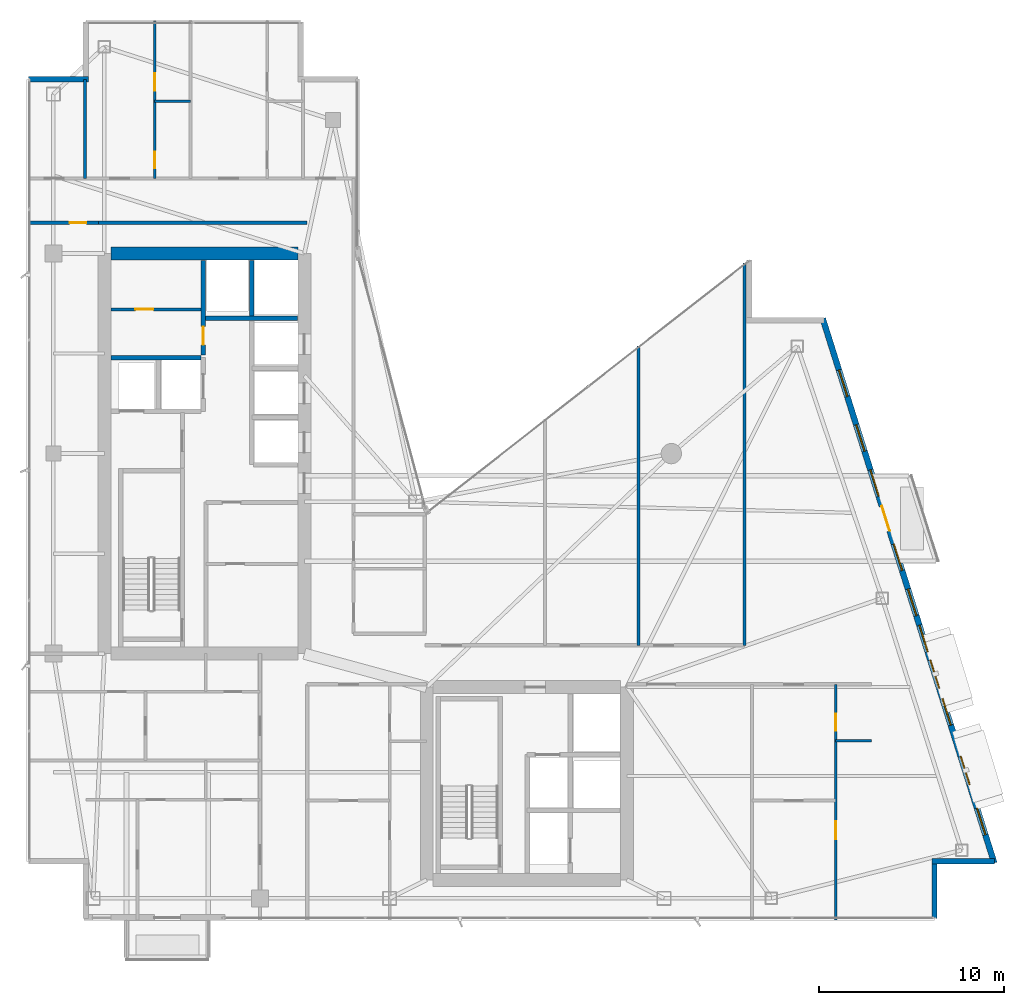
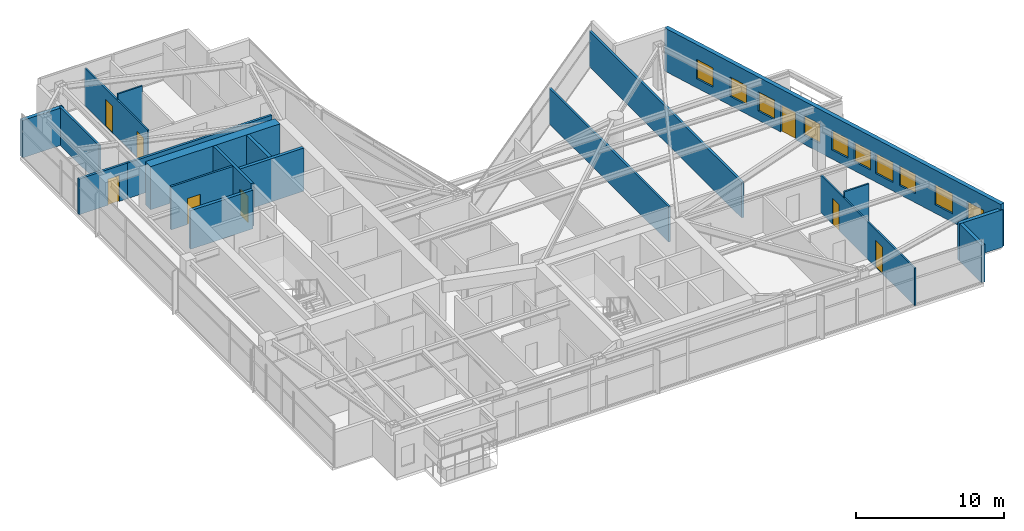
# One storey, part 26 of 30: 19 walls, 10 windows, 8 doors, 18 openings.
"""IFC4 building model written with IfcOpenShell, lengths in metres."""

from ifc_helpers import new_model, si_unit, direction, frame, frame_2d, origin, place, context, subcontext, project, spatial, rectangle, extrude, material, layer, layer_set, type_object, element, fill, save


model = new_model("IFC4")

# Units and contexts
model_context = context("Model", 3, precision=1e-05, world=origin(), true_north=direction((0.0, 1.0)))
body_context = subcontext(model_context, "Body", "Model", "MODEL_VIEW")
ifc_project = project(units=[si_unit("LENGTHUNIT", "METRE"), si_unit("AREAUNIT", "SQUARE_METRE"), si_unit("VOLUMEUNIT", "CUBIC_METRE"), si_unit("PLANEANGLEUNIT", "RADIAN"), si_unit("MASSUNIT", "GRAM", prefix="KILO")], contexts=[model_context])

# Site, building, storey
site_placement = place(None, origin())
site = spatial("IfcSite", under=ifc_project, at=site_placement, CompositionType="ELEMENT")
building_placement = place(site_placement, origin())
building = spatial("IfcBuilding", under=site, at=building_placement, Name="Calvorn Quay Hotel", CompositionType="ELEMENT")
storey_placement = place(building_placement, frame((0.0, 0.0, 207.199951171875)))
storey = spatial("IfcBuildingStorey", under=building, at=storey_placement, Name="L51", CompositionType="ELEMENT", Elevation=207.199951171875)

# Wall
ifc_material_1 = material(Name="Concrete C45", Category="concrete")
ifc_layer_1 = layer(ifc_material_1, 0.699951171875)
ifc_layer_set_1 = layer_set([ifc_layer_1], Name="WL-CORE-700")
wall_type_1 = type_object("IfcWallType", Name="WL-CORE-700", PredefinedType="SHEAR", material=ifc_layer_set_1)
wall_1_placement = place(storey_placement, frame((4.550048828125, 38.39990234375, 0.0), z_axis=(0.0, 0.0, 1.0), x_axis=(1.0, 0.0, 0.0)))
element("IfcWall", 1, at=wall_1_placement, inside=storey, type_object=wall_type_1, Name="West Core Shear Wall N (L51)", PredefinedType="SHEAR", context=body_context, shape_type="SweptSolid", body=[
    extrude(rectangle(XDim=10.099853515625, YDim=0.699951171875, at=frame_2d((5.0498046875, 0.0))), origin(), (0.0, 0.0, 1.0), 3.56005859375),
])

# Wall, opening, door
ifc_material_2 = material(Name="Acoustic Fireboard Steel-Stud Partition", Category="steel")
ifc_layer_2 = layer(ifc_material_2, 0.179931640625)
ifc_layer_set_2 = layer_set([ifc_layer_2], Name="WL-CORR-FIRE-180")
wall_type_2 = type_object("IfcWallType", Name="WL-CORR-FIRE-180", PredefinedType="PARTITIONING", material=ifc_layer_set_2)
wall_2_placement = place(storey_placement, frame((0.080078125, 40.050048828125, 0.0), z_axis=(0.0, 0.0, 1.0), x_axis=(1.0, 0.0, 0.0)))
wall_2 = element("IfcWall", 2, at=wall_2_placement, inside=storey, type_object=wall_type_2, Name="Partition Wall L51-WL-WBAY-N-DOOR", PredefinedType="PARTITIONING", context=body_context, shape_type="SweptSolid", body=[
    extrude(rectangle(XDim=3.7998046875, YDim=0.179931640625, at=frame_2d((1.89990234375, 0.0))), origin(), (0.0, 0.0, 1.0), 2.93994140625),
])
opening_1_placement = place(wall_2_placement, frame((2.25, 0.0, 0.0)))
opening_1 = element("IfcOpeningElement", 3, at=opening_1_placement, cuts=wall_2, Name="Opening D-L51-WBN", PredefinedType="OPENING", context=body_context, shape_type="SweptSolid", body=[
    extrude(rectangle(XDim=0.89990234375, YDim=2.14990234375, at=frame_2d((0.449951171875, 1.074951171875))), frame((0.0, 0.099853515625, 0.0), z_axis=(0.0, -1.0, 0.0), x_axis=(1.0, 0.0, 0.0)), (0.0, 0.0, 1.0), 0.199951171875),
])
ifc_material_3 = material(Name="Moisture-Sealed Timber En-Suite Door", Category="wood")
door_type_1 = type_object("IfcDoorType", Name="DR-ENSUITE-900", OperationType="NOTDEFINED", PredefinedType="DOOR", material=ifc_material_3)
door_1_placement = place(opening_1_placement, origin())
door_1 = element("IfcDoor", 4, at=door_1_placement, inside=storey, type_object=door_type_1, Name="West North Bay Door (L51)", OperationType="SINGLE_SWING_LEFT", OverallHeight=2.14990234375, OverallWidth=0.89990234375, PredefinedType="DOOR", context=body_context, shape_type="SweptSolid", body=[
    extrude(rectangle(XDim=0.89990234375, YDim=2.14990234375, at=frame_2d((0.449951171875, 1.074951171875))), frame((0.0, 0.02490234375, 0.0), z_axis=(0.0, -1.0, 0.0), x_axis=(1.0, 0.0, 0.0)), (0.0, 0.0, 1.0), 0.050048828125),
])
fill(opening_1, door_1)

# Walls
wall_3_placement = place(storey_placement, frame((3.830078125, 40.050048828125, 0.0), z_axis=(0.0, 0.0, 1.0), x_axis=(1.0, 0.0, 0.0)))
element("IfcWall", 5, at=wall_3_placement, inside=storey, type_object=wall_type_2, Name="Partition Wall L51-WL-W-SPUR-S", PredefinedType="PARTITIONING", context=body_context, shape_type="SweptSolid", body=[
    extrude(rectangle(XDim=11.31982421875, YDim=0.179931640625, at=frame_2d((5.659912109375, 0.0))), origin(), (0.0, 0.0, 1.0), 2.93994140625),
])
wall_4_placement = place(storey_placement, frame((38.75, 17.25, 0.0), z_axis=(0.0, 0.0, 1.0), x_axis=(0.0, 1.0, 0.0)))
element("IfcWall", 6, at=wall_4_placement, inside=storey, type_object=wall_type_2, Name="Partition Wall L51-WL-NE-END-E", PredefinedType="PARTITIONING", context=body_context, shape_type="SweptSolid", body=[
    extrude(rectangle(XDim=20.6298828125, YDim=0.179931640625, at=frame_2d((10.31494140625, 0.0))), origin(), (0.0, 0.0, 1.0), 2.93994140625),
])
ifc_material_4 = material(Name="Moisture-Resistant Tile-Backed Partition")
ifc_layer_3 = layer(ifc_material_4, 0.125)
ifc_layer_set_3 = layer_set([ifc_layer_3], Name="WL-ENSUITE-125")
wall_type_3 = type_object("IfcWallType", Name="WL-ENSUITE-125", PredefinedType="PARTITIONING", material=ifc_layer_set_3)
wall_5_placement = place(storey_placement, frame((6.919921875, 46.6201171875, 0.0), z_axis=(0.0, 0.0, 1.0), x_axis=(1.0, 0.0, 0.0)))
element("IfcWall", 7, at=wall_5_placement, inside=storey, type_object=wall_type_3, Name="Partition Wall L51-WL-U04-BDV", PredefinedType="PARTITIONING", context=body_context, shape_type="SweptSolid", body=[
    extrude(rectangle(XDim=1.93017578125, YDim=0.125, at=frame_2d((0.965087890625, 0.0))), origin(), (0.0, 0.0, 1.0), 3.56005859375),
])

# Wall, openings, doors
wall_6_placement = place(storey_placement, frame((6.919921875, 42.449951171875, 0.0), z_axis=(0.0, 0.0, 1.0), x_axis=(0.0, 1.0, 0.0)))
wall_6 = element("IfcWall", 8, at=wall_6_placement, inside=storey, type_object=wall_type_3, Name="Partition Wall L51-WL-U04-BV", PredefinedType="PARTITIONING", context=body_context, shape_type="SweptSolid", body=[
    extrude(rectangle(XDim=8.489990234375, YDim=0.125, at=frame_2d((4.2451171875, 0.0))), origin(), (0.0, 0.0, 1.0), 3.090087890625),
])
opening_2_placement = place(wall_6_placement, frame((0.550048828125, 0.0, 0.0)))
opening_2 = element("IfcOpeningElement", 9, at=opening_2_placement, cuts=wall_6, Name="Opening D-L51-E04", PredefinedType="OPENING", context=body_context, shape_type="SweptSolid", body=[
    extrude(rectangle(XDim=0.89990234375, YDim=2.14990234375, at=frame_2d((0.449951171875, 1.074951171875))), frame((0.0, 0.072509765625, 0.0), z_axis=(0.0, -1.0, 0.0), x_axis=(1.0, 0.0, 0.0)), (0.0, 0.0, 1.0), 0.14501953125),
])
opening_3_placement = place(wall_6_placement, frame((4.719970703125, 0.0, 0.0)))
opening_3 = element("IfcOpeningElement", 10, at=opening_3_placement, cuts=wall_6, Name="Opening D-L51-S04", PredefinedType="OPENING", context=body_context, shape_type="SweptSolid", body=[
    extrude(rectangle(XDim=0.9599609375, YDim=2.199951171875, at=frame_2d((0.47998046875, 1.10009765625))), frame((0.0, 0.072509765625, 0.0), z_axis=(0.0, -1.0, 0.0), x_axis=(1.0, 0.0, 0.0)), (0.0, 0.0, 1.0), 0.14501953125),
])
door_2_placement = place(opening_2_placement, origin())
door_2 = element("IfcDoor", 11, at=door_2_placement, inside=storey, type_object=door_type_1, Name="En-Suite Door 04", OperationType="SINGLE_SWING_LEFT", OverallHeight=2.14990234375, OverallWidth=0.89990234375, PredefinedType="DOOR", context=body_context, shape_type="SweptSolid", body=[
    extrude(rectangle(XDim=0.89990234375, YDim=2.14990234375, at=frame_2d((0.449951171875, 1.074951171875))), frame((0.0, 0.02490234375, 0.0), z_axis=(0.0, -1.0, 0.0), x_axis=(1.0, 0.0, 0.0)), (0.0, 0.0, 1.0), 0.050048828125),
])
fill(opening_2, door_2)
ifc_material_5 = material(Name="Solid Timber Internal Suite Door", Category="wood")
door_type_2 = type_object("IfcDoorType", Name="DR-SUITE-INT-960", OperationType="NOTDEFINED", PredefinedType="DOOR", material=ifc_material_5)
door_3_placement = place(opening_3_placement, origin())
door_3 = element("IfcDoor", 12, at=door_3_placement, inside=storey, type_object=door_type_2, Name="Harbour Tea Room Door 04", OperationType="SINGLE_SWING_RIGHT", OverallHeight=2.199951171875, OverallWidth=0.9599609375, PredefinedType="DOOR", context=body_context, shape_type="SweptSolid", body=[
    extrude(rectangle(XDim=0.9599609375, YDim=2.199951171875, at=frame_2d((0.47998046875, 1.10009765625))), frame((0.0, 0.02490234375, 0.0), z_axis=(0.0, -1.0, 0.0), x_axis=(1.0, 0.0, 0.0)), (0.0, 0.0, 1.0), 0.050048828125),
])
fill(opening_3, door_3)

# Wall
wall_7_placement = place(storey_placement, frame((43.669921875, 12.10009765625, 0.0), z_axis=(0.0, 0.0, 1.0), x_axis=(1.0, 0.0, 0.0)))
element("IfcWall", 13, at=wall_7_placement, inside=storey, type_object=wall_type_3, Name="Partition Wall L51-WL-U06-BDV", PredefinedType="PARTITIONING", context=body_context, shape_type="SweptSolid", body=[
    extrude(rectangle(XDim=1.93017578125, YDim=0.125, at=frame_2d((0.965087890625, 0.0))), origin(), (0.0, 0.0, 1.0), 3.56005859375),
])

# Wall, openings, doors
wall_8_placement = place(storey_placement, frame((43.669921875, 2.43994140625, 0.0), z_axis=(0.0, 0.0, 1.0), x_axis=(0.0, 1.0, 0.0)))
wall_8 = element("IfcWall", 14, at=wall_8_placement, inside=storey, type_object=wall_type_3, Name="Partition Wall L51-WL-U06-BV", PredefinedType="PARTITIONING", context=body_context, shape_type="SweptSolid", body=[
    extrude(rectangle(XDim=12.7099609375, YDim=0.125, at=frame_2d((6.35498046875, 0.0))), origin(), (0.0, 0.0, 1.0), 3.090087890625),
])
opening_4_placement = place(wall_8_placement, frame((4.35009765625, 0.0, 0.0)))
opening_4 = element("IfcOpeningElement", 15, at=opening_4_placement, cuts=wall_8, Name="Opening D-L51-S06", PredefinedType="OPENING", context=body_context, shape_type="SweptSolid", body=[
    extrude(rectangle(XDim=0.9599609375, YDim=2.199951171875, at=frame_2d((0.47998046875, 1.10009765625))), frame((0.0, 0.072509765625, 0.0), z_axis=(0.0, -1.0, 0.0), x_axis=(1.0, 0.0, 0.0)), (0.0, 0.0, 1.0), 0.14501953125),
])
opening_5_placement = place(wall_8_placement, frame((10.2099609375, 0.0, 0.0)))
opening_5 = element("IfcOpeningElement", 16, at=opening_5_placement, cuts=wall_8, Name="Opening D-L51-E06", PredefinedType="OPENING", context=body_context, shape_type="SweptSolid", body=[
    extrude(rectangle(XDim=0.89990234375, YDim=2.14990234375, at=frame_2d((0.449951171875, 1.074951171875))), frame((0.0, 0.072509765625, 0.0), z_axis=(0.0, -1.0, 0.0), x_axis=(1.0, 0.0, 0.0)), (0.0, 0.0, 1.0), 0.14501953125),
])
door_4_placement = place(opening_5_placement, origin())
door_4 = element("IfcDoor", 17, at=door_4_placement, inside=storey, type_object=door_type_1, Name="En-Suite Door 06", OperationType="SINGLE_SWING_RIGHT", OverallHeight=2.14990234375, OverallWidth=0.89990234375, PredefinedType="DOOR", context=body_context, shape_type="SweptSolid", body=[
    extrude(rectangle(XDim=0.89990234375, YDim=2.14990234375, at=frame_2d((0.449951171875, 1.074951171875))), frame((0.0, 0.02490234375, 0.0), z_axis=(0.0, -1.0, 0.0), x_axis=(1.0, 0.0, 0.0)), (0.0, 0.0, 1.0), 0.050048828125),
])
fill(opening_5, door_4)
door_5_placement = place(opening_4_placement, origin())
door_5 = element("IfcDoor", 18, at=door_5_placement, inside=storey, type_object=door_type_2, Name="Harbour Tea Room Door 06", OperationType="SINGLE_SWING_LEFT", OverallHeight=2.199951171875, OverallWidth=0.9599609375, PredefinedType="DOOR", context=body_context, shape_type="SweptSolid", body=[
    extrude(rectangle(XDim=0.9599609375, YDim=2.199951171875, at=frame_2d((0.47998046875, 1.10009765625))), frame((0.0, 0.02490234375, 0.0), z_axis=(0.0, -1.0, 0.0), x_axis=(1.0, 0.0, 0.0)), (0.0, 0.0, 1.0), 0.050048828125),
])
fill(opening_4, door_5)

# Walls
ifc_material_6 = material(Name="Concrete C40", Category="concrete")
ifc_layer_4 = layer(ifc_material_6, 0.320068359375)
ifc_layer_set_4 = layer_set([ifc_layer_4], Name="WL-EXT-SPANDREL-320")
wall_type_4 = type_object("IfcWallType", Name="WL-EXT-SPANDREL-320", PredefinedType="SOLIDWALL", material=ifc_layer_set_4)
wall_9_placement = place(storey_placement, frame((49.0, 2.52001953125, 0.0), z_axis=(0.0, 0.0, 1.0), x_axis=(0.0, 1.0, 0.0)))
element("IfcWall", 19, at=wall_9_placement, inside=storey, type_object=wall_type_4, Name="Notched Corner Spandrel L51-SE1", PredefinedType="SOLIDWALL", context=body_context, shape_type="SweptSolid", body=[
    extrude(rectangle(XDim=2.93994140625, YDim=0.280029296875, at=frame_2d((1.469970703125, 0.0))), origin(), (0.0, 0.0, 1.0), 3.090087890625),
])
wall_10_placement = place(storey_placement, frame((48.860107421875, 5.60009765625, 0.0), z_axis=(0.0, 0.0, 1.0), x_axis=(1.0, 0.0, 0.0)))
element("IfcWall", 20, at=wall_10_placement, inside=storey, type_object=wall_type_4, Name="Notched Corner Spandrel L51-SE2", PredefinedType="SOLIDWALL", context=body_context, shape_type="SweptSolid", body=[
    extrude(rectangle(XDim=3.3798828125, YDim=0.280029296875, at=frame_2d((1.68994140625, 0.0))), origin(), (0.0, 0.0, 1.0), 3.090087890625),
])
wall_11_placement = place(storey_placement, frame((3.340087890625, 47.800048828125, 0.0), z_axis=(0.0, 0.0, 1.0), x_axis=(-1.0, 0.0, 0.0)))
element("IfcWall", 21, at=wall_11_placement, inside=storey, type_object=wall_type_4, Name="Notched Corner Spandrel L51-NW2", PredefinedType="SOLIDWALL", context=body_context, shape_type="SweptSolid", body=[
    extrude(rectangle(XDim=3.219970703125, YDim=0.280029296875, at=frame_2d((1.60986328125, 0.0))), origin(), (0.0, 0.0, 1.0), 3.090087890625),
])

# Wall, openings, door, windows
wall_12_placement = place(storey_placement, frame((52.22998046875, 5.5048828125, 0.0), z_axis=(0.0, 0.0, 1.0), x_axis=(-0.300509063924, 0.953778958931, 0.0)))
wall_12 = element("IfcWall", 22, at=wall_12_placement, inside=storey, type_object=wall_type_4, Name="East Stepped Waterfront Exterior Wall (L51)", PredefinedType="SOLIDWALL", context=body_context, shape_type="SweptSolid", body=[
    extrude(rectangle(XDim=30.814453125, YDim=0.320068359375, at=frame_2d((15.4072265625, 0.0))), origin(), (0.0, 0.0, 1.0), 3.56005859375),
])
opening_6_placement = place(wall_12_placement, frame((18.7958984375, 0.0, 0.0)))
opening_6 = element("IfcOpeningElement", 23, at=opening_6_placement, cuts=wall_12, Name="Opening DB-L51-1", PredefinedType="OPENING", context=body_context, shape_type="SweptSolid", body=[
    extrude(rectangle(XDim=1.39990234375, YDim=2.25, at=frame_2d((0.699951171875, 1.125))), frame((0.0, 0.169921875, 0.0), z_axis=(0.0, -1.0, 0.0), x_axis=(1.0, 0.0, 0.0)), (0.0, 0.0, 1.0), 0.340087890625),
])
opening_7_placement = place(wall_12_placement, frame((4.43701171875, 0.0, 0.699951171875)))
opening_7 = element("IfcOpeningElement", 24, at=opening_7_placement, cuts=wall_12, Name="Opening WHD-L51-1", PredefinedType="OPENING", context=body_context, shape_type="SweptSolid", body=[
    extrude(rectangle(XDim=1.60009765625, YDim=1.64990234375, at=frame_2d((0.800048828125, 0.824951171875))), frame((0.0, 0.169921875, 0.0), z_axis=(0.0, -1.0, 0.0), x_axis=(1.0, 0.0, 0.0)), (0.0, 0.0, 1.0), 0.340087890625),
])
opening_8_placement = place(wall_12_placement, frame((9.888916015625, 0.0, 0.699951171875)))
opening_8 = element("IfcOpeningElement", 25, at=opening_8_placement, cuts=wall_12, Name="Opening WHD-L51-2", PredefinedType="OPENING", context=body_context, shape_type="SweptSolid", body=[
    extrude(rectangle(XDim=1.60009765625, YDim=1.64990234375, at=frame_2d((0.800048828125, 0.824951171875))), frame((0.0, 0.169921875, 0.0), z_axis=(0.0, -1.0, 0.0), x_axis=(1.0, 0.0, 0.0)), (0.0, 0.0, 1.0), 0.340087890625),
])
opening_9_placement = place(wall_12_placement, frame((1.60009765625, 0.0, 0.75)))
opening_9 = element("IfcOpeningElement", 26, at=opening_9_placement, cuts=wall_12, Name="Opening WG-L51-E1", PredefinedType="OPENING", context=body_context, shape_type="SweptSolid", body=[
    extrude(rectangle(XDim=1.5, YDim=1.60009765625, at=frame_2d((0.75, 0.800048828125))), frame((0.0, 0.169921875, 0.0), z_axis=(0.0, -1.0, 0.0), x_axis=(1.0, 0.0, 0.0)), (0.0, 0.0, 1.0), 0.340087890625),
])
opening_10_placement = place(wall_12_placement, frame((7.800048828125, 0.0, 0.75)))
opening_10 = element("IfcOpeningElement", 27, at=opening_10_placement, cuts=wall_12, Name="Opening WG-L51-E2", PredefinedType="OPENING", context=body_context, shape_type="SweptSolid", body=[
    extrude(rectangle(XDim=1.5, YDim=1.60009765625, at=frame_2d((0.75, 0.800048828125))), frame((0.0, 0.169921875, 0.0), z_axis=(0.0, -1.0, 0.0), x_axis=(1.0, 0.0, 0.0)), (0.0, 0.0, 1.0), 0.340087890625),
])
opening_11_placement = place(wall_12_placement, frame((11.949951171875, 0.0, 0.75)))
opening_11 = element("IfcOpeningElement", 28, at=opening_11_placement, cuts=wall_12, Name="Opening WG-L51-E3", PredefinedType="OPENING", context=body_context, shape_type="SweptSolid", body=[
    extrude(rectangle(XDim=1.5, YDim=1.60009765625, at=frame_2d((0.75, 0.800048828125))), frame((0.0, 0.169921875, 0.0), z_axis=(0.0, -1.0, 0.0), x_axis=(1.0, 0.0, 0.0)), (0.0, 0.0, 1.0), 0.340087890625),
])
opening_12_placement = place(wall_12_placement, frame((14.0, 0.0, 0.75)))
opening_12 = element("IfcOpeningElement", 29, at=opening_12_placement, cuts=wall_12, Name="Opening WG-L51-E4", PredefinedType="OPENING", context=body_context, shape_type="SweptSolid", body=[
    extrude(rectangle(XDim=1.5, YDim=1.60009765625, at=frame_2d((0.75, 0.800048828125))), frame((0.0, 0.169921875, 0.0), z_axis=(0.0, -1.0, 0.0), x_axis=(1.0, 0.0, 0.0)), (0.0, 0.0, 1.0), 0.340087890625),
])
opening_13_placement = place(wall_12_placement, frame((16.550048828125, 0.0, 0.75)))
opening_13 = element("IfcOpeningElement", 30, at=opening_13_placement, cuts=wall_12, Name="Opening WG-L51-E5", PredefinedType="OPENING", context=body_context, shape_type="SweptSolid", body=[
    extrude(rectangle(XDim=1.5, YDim=1.60009765625, at=frame_2d((0.75, 0.800048828125))), frame((0.0, 0.169921875, 0.0), z_axis=(0.0, -1.0, 0.0), x_axis=(1.0, 0.0, 0.0)), (0.0, 0.0, 1.0), 0.340087890625),
])
opening_14_placement = place(wall_12_placement, frame((20.75, 0.0, 0.75)))
opening_14 = element("IfcOpeningElement", 31, at=opening_14_placement, cuts=wall_12, Name="Opening WG-L51-E6", PredefinedType="OPENING", context=body_context, shape_type="SweptSolid", body=[
    extrude(rectangle(XDim=1.5, YDim=1.60009765625, at=frame_2d((0.75, 0.800048828125))), frame((0.0, 0.169921875, 0.0), z_axis=(0.0, -1.0, 0.0), x_axis=(1.0, 0.0, 0.0)), (0.0, 0.0, 1.0), 0.340087890625),
])
opening_15_placement = place(wall_12_placement, frame((23.300048828125, 0.0, 0.75)))
opening_15 = element("IfcOpeningElement", 32, at=opening_15_placement, cuts=wall_12, Name="Opening WG-L51-E7", PredefinedType="OPENING", context=body_context, shape_type="SweptSolid", body=[
    extrude(rectangle(XDim=1.5, YDim=1.60009765625, at=frame_2d((0.75, 0.800048828125))), frame((0.0, 0.169921875, 0.0), z_axis=(0.0, -1.0, 0.0), x_axis=(1.0, 0.0, 0.0)), (0.0, 0.0, 1.0), 0.340087890625),
])
opening_16_placement = place(wall_12_placement, frame((26.39990234375, 0.0, 0.75)))
opening_16 = element("IfcOpeningElement", 33, at=opening_16_placement, cuts=wall_12, Name="Opening WG-L51-E8", PredefinedType="OPENING", context=body_context, shape_type="SweptSolid", body=[
    extrude(rectangle(XDim=1.5, YDim=1.60009765625, at=frame_2d((0.75, 0.800048828125))), frame((0.0, 0.169921875, 0.0), z_axis=(0.0, -1.0, 0.0), x_axis=(1.0, 0.0, 0.0)), (0.0, 0.0, 1.0), 0.340087890625),
])
ifc_material_7 = material(Name="Typhoon-Rated Low-E Aluminium Terrace Door", Category="aluminium")
door_type_3 = type_object("IfcDoorType", Name="DR-BALCONY-GLZ-1400", OperationType="NOTDEFINED", PredefinedType="DOOR", material=ifc_material_7)
door_6_placement = place(opening_6_placement, origin())
door_6 = element("IfcDoor", 34, at=door_6_placement, inside=storey, type_object=door_type_3, Name="Tree Balcony Terrace Door L51-BALC-E", OperationType="SINGLE_SWING_LEFT", OverallHeight=2.25, OverallWidth=1.39990234375, PredefinedType="DOOR", context=body_context, shape_type="SweptSolid", body=[
    extrude(rectangle(XDim=1.39990234375, YDim=2.25, at=frame_2d((0.699951171875, 1.125))), frame((0.0, 0.02490234375, 0.0), z_axis=(0.0, -1.0, 0.0), x_axis=(1.0, 0.0, 0.0)), (0.0, 0.0, 1.0), 0.050048828125),
])
fill(opening_6, door_6)
ifc_material_8 = material(Name="Champagne-Bronze Aluminium Low-E Window", Category="aluminium")
window_type_1 = type_object("IfcWindowType", Name="WIN-GUEST-SIDE-1600x2100", PartitioningType="SINGLE_PANEL", PredefinedType="WINDOW", material=ifc_material_8)
window_1_placement = place(opening_7_placement, origin())
window_1 = element("IfcWindow", 35, at=window_1_placement, inside=storey, type_object=window_type_1, Name="Bay Hood Window L51-HOOD-1", OverallHeight=1.64990234375, OverallWidth=1.60009765625, PartitioningType="SINGLE_PANEL", PredefinedType="WINDOW", context=body_context, shape_type="SweptSolid", body=[
    extrude(rectangle(XDim=1.60009765625, YDim=1.64990234375, at=frame_2d((0.800048828125, 0.824951171875))), frame((0.0, 0.030029296875, 0.0), z_axis=(0.0, -1.0, 0.0), x_axis=(1.0, 0.0, 0.0)), (0.0, 0.0, 1.0), 0.06005859375),
])
fill(opening_7, window_1)
window_2_placement = place(opening_8_placement, origin())
window_2 = element("IfcWindow", 36, at=window_2_placement, inside=storey, type_object=window_type_1, Name="Bay Hood Window L51-HOOD-2", OverallHeight=1.64990234375, OverallWidth=1.60009765625, PartitioningType="SINGLE_PANEL", PredefinedType="WINDOW", context=body_context, shape_type="SweptSolid", body=[
    extrude(rectangle(XDim=1.60009765625, YDim=1.64990234375, at=frame_2d((0.800048828125, 0.824951171875))), frame((0.0, 0.030029296875, 0.0), z_axis=(0.0, -1.0, 0.0), x_axis=(1.0, 0.0, 0.0)), (0.0, 0.0, 1.0), 0.06005859375),
])
fill(opening_8, window_2)
ifc_material_9 = material(Name="Self-Closing Class B Fire Window")
window_type_2 = type_object("IfcWindowType", Name="WIN-REFUGE-1500x1600", PartitioningType="SINGLE_PANEL", PredefinedType="WINDOW", material=ifc_material_9)
window_3_placement = place(opening_9_placement, origin())
window_3 = element("IfcWindow", 37, at=window_3_placement, inside=storey, type_object=window_type_2, Name="East Facade Window L51-E1", OverallHeight=1.60009765625, OverallWidth=1.5, PartitioningType="SINGLE_PANEL", PredefinedType="WINDOW", context=body_context, shape_type="SweptSolid", body=[
    extrude(rectangle(XDim=1.5, YDim=1.60009765625, at=frame_2d((0.75, 0.800048828125))), frame((0.0, 0.030029296875, 0.0), z_axis=(0.0, -1.0, 0.0), x_axis=(1.0, 0.0, 0.0)), (0.0, 0.0, 1.0), 0.06005859375),
])
fill(opening_9, window_3)
window_4_placement = place(opening_10_placement, origin())
window_4 = element("IfcWindow", 38, at=window_4_placement, inside=storey, type_object=window_type_2, Name="East Facade Window L51-E2", OverallHeight=1.60009765625, OverallWidth=1.5, PartitioningType="SINGLE_PANEL", PredefinedType="WINDOW", context=body_context, shape_type="SweptSolid", body=[
    extrude(rectangle(XDim=1.5, YDim=1.60009765625, at=frame_2d((0.75, 0.800048828125))), frame((0.0, 0.030029296875, 0.0), z_axis=(0.0, -1.0, 0.0), x_axis=(1.0, 0.0, 0.0)), (0.0, 0.0, 1.0), 0.06005859375),
])
fill(opening_10, window_4)
window_5_placement = place(opening_11_placement, origin())
window_5 = element("IfcWindow", 39, at=window_5_placement, inside=storey, type_object=window_type_2, Name="East Facade Window L51-E3", OverallHeight=1.60009765625, OverallWidth=1.5, PartitioningType="SINGLE_PANEL", PredefinedType="WINDOW", context=body_context, shape_type="SweptSolid", body=[
    extrude(rectangle(XDim=1.5, YDim=1.60009765625, at=frame_2d((0.75, 0.800048828125))), frame((0.0, 0.030029296875, 0.0), z_axis=(0.0, -1.0, 0.0), x_axis=(1.0, 0.0, 0.0)), (0.0, 0.0, 1.0), 0.06005859375),
])
fill(opening_11, window_5)
window_6_placement = place(opening_12_placement, origin())
window_6 = element("IfcWindow", 40, at=window_6_placement, inside=storey, type_object=window_type_2, Name="East Facade Window L51-E4", OverallHeight=1.60009765625, OverallWidth=1.5, PartitioningType="SINGLE_PANEL", PredefinedType="WINDOW", context=body_context, shape_type="SweptSolid", body=[
    extrude(rectangle(XDim=1.5, YDim=1.60009765625, at=frame_2d((0.75, 0.800048828125))), frame((0.0, 0.030029296875, 0.0), z_axis=(0.0, -1.0, 0.0), x_axis=(1.0, 0.0, 0.0)), (0.0, 0.0, 1.0), 0.06005859375),
])
fill(opening_12, window_6)
window_7_placement = place(opening_13_placement, origin())
window_7 = element("IfcWindow", 41, at=window_7_placement, inside=storey, type_object=window_type_2, Name="East Facade Window L51-E5", OverallHeight=1.60009765625, OverallWidth=1.5, PartitioningType="SINGLE_PANEL", PredefinedType="WINDOW", context=body_context, shape_type="SweptSolid", body=[
    extrude(rectangle(XDim=1.5, YDim=1.60009765625, at=frame_2d((0.75, 0.800048828125))), frame((0.0, 0.030029296875, 0.0), z_axis=(0.0, -1.0, 0.0), x_axis=(1.0, 0.0, 0.0)), (0.0, 0.0, 1.0), 0.06005859375),
])
fill(opening_13, window_7)
window_8_placement = place(opening_14_placement, origin())
window_8 = element("IfcWindow", 42, at=window_8_placement, inside=storey, type_object=window_type_2, Name="East Facade Window L51-E6", OverallHeight=1.60009765625, OverallWidth=1.5, PartitioningType="SINGLE_PANEL", PredefinedType="WINDOW", context=body_context, shape_type="SweptSolid", body=[
    extrude(rectangle(XDim=1.5, YDim=1.60009765625, at=frame_2d((0.75, 0.800048828125))), frame((0.0, 0.030029296875, 0.0), z_axis=(0.0, -1.0, 0.0), x_axis=(1.0, 0.0, 0.0)), (0.0, 0.0, 1.0), 0.06005859375),
])
fill(opening_14, window_8)
window_9_placement = place(opening_15_placement, origin())
window_9 = element("IfcWindow", 43, at=window_9_placement, inside=storey, type_object=window_type_2, Name="East Facade Window L51-E7", OverallHeight=1.60009765625, OverallWidth=1.5, PartitioningType="SINGLE_PANEL", PredefinedType="WINDOW", context=body_context, shape_type="SweptSolid", body=[
    extrude(rectangle(XDim=1.5, YDim=1.60009765625, at=frame_2d((0.75, 0.800048828125))), frame((0.0, 0.030029296875, 0.0), z_axis=(0.0, -1.0, 0.0), x_axis=(1.0, 0.0, 0.0)), (0.0, 0.0, 1.0), 0.06005859375),
])
fill(opening_15, window_9)
window_10_placement = place(opening_16_placement, origin())
window_10 = element("IfcWindow", 44, at=window_10_placement, inside=storey, type_object=window_type_2, Name="East Facade Window L51-E8", OverallHeight=1.60009765625, OverallWidth=1.5, PartitioningType="SINGLE_PANEL", PredefinedType="WINDOW", context=body_context, shape_type="SweptSolid", body=[
    extrude(rectangle(XDim=1.5, YDim=1.60009765625, at=frame_2d((0.75, 0.800048828125))), frame((0.0, 0.030029296875, 0.0), z_axis=(0.0, -1.0, 0.0), x_axis=(1.0, 0.0, 0.0)), (0.0, 0.0, 1.0), 0.06005859375),
])
fill(opening_16, window_10)

# Wall, opening, door
ifc_material_10 = material(Name="Double-Stud Acoustic Gypsum Partition")
ifc_layer_5 = layer(ifc_material_10, 0.159912109375)
ifc_layer_set_5 = layer_set([ifc_layer_5], Name="WL-INTERSUITE-160")
wall_type_5 = type_object("IfcWallType", Name="WL-INTERSUITE-160", PredefinedType="PARTITIONING", material=ifc_layer_set_5)
wall_13_placement = place(storey_placement, frame((4.570068359375, 35.3798828125, 0.0), z_axis=(0.0, 0.0, 1.0), x_axis=(1.0, 0.0, 0.0)))
wall_13 = element("IfcWall", 45, at=wall_13_placement, inside=storey, type_object=wall_type_5, Name="Partition Wall L51-WL-CWW-K-MID", PredefinedType="PARTITIONING", context=body_context, shape_type="SweptSolid", body=[
    extrude(rectangle(XDim=4.849853515625, YDim=0.159912109375, at=frame_2d((2.4248046875, 0.0))), origin(), (0.0, 0.0, 1.0), 3.56005859375),
])
opening_17_placement = place(wall_13_placement, frame((1.300048828125, 0.0, 0.0)))
opening_17 = element("IfcOpeningElement", 46, at=opening_17_placement, cuts=wall_13, Name="Opening D-L51-CK2", PredefinedType="OPENING", context=body_context, shape_type="SweptSolid", body=[
    extrude(rectangle(XDim=0.97998046875, YDim=2.14990234375, at=frame_2d((0.489990234375, 1.074951171875))), frame((0.0, 0.08984375, 0.0), z_axis=(0.0, -1.0, 0.0), x_axis=(1.0, 0.0, 0.0)), (0.0, 0.0, 1.0), 0.179931640625),
])
ifc_material_11 = material(Name="Painted Steel Housekeeping/Riser Fire Door", Category="steel")
door_type_4 = type_object("IfcDoorType", Name="DR-SERVICE-980", OperationType="NOTDEFINED", PredefinedType="DOOR", material=ifc_material_11)
door_7_placement = place(opening_17_placement, origin())
door_7 = element("IfcDoor", 47, at=door_7_placement, inside=storey, type_object=door_type_4, Name="Electrical Riser Door (L51)", OperationType="SINGLE_SWING_RIGHT", OverallHeight=2.14990234375, OverallWidth=0.97998046875, PredefinedType="DOOR", context=body_context, shape_type="SweptSolid", body=[
    extrude(rectangle(XDim=0.97998046875, YDim=2.14990234375, at=frame_2d((0.489990234375, 1.074951171875))), frame((0.0, 0.02490234375, 0.0), z_axis=(0.0, -1.0, 0.0), x_axis=(1.0, 0.0, 0.0)), (0.0, 0.0, 1.0), 0.050048828125),
])
fill(opening_17, door_7)

# Walls
wall_14_placement = place(storey_placement, frame((3.14990234375, 42.449951171875, 0.0), z_axis=(0.0, 0.0, 1.0), x_axis=(0.0, 1.0, 0.0)))
element("IfcWall", 48, at=wall_14_placement, inside=storey, type_object=wall_type_5, Name="Partition Wall L51-WL-NW-DIV-W0", PredefinedType="PARTITIONING", context=body_context, shape_type="SweptSolid", body=[
    extrude(rectangle(XDim=5.35009765625, YDim=0.159912109375, at=frame_2d((2.675048828125, 0.0))), origin(), (0.0, 0.0, 1.0), 3.14013671875),
])
wall_15_placement = place(storey_placement, frame((33.030029296875, 17.25, 0.0), z_axis=(0.0, 0.0, 1.0), x_axis=(0.0, 1.0, 0.0)))
element("IfcWall", 49, at=wall_15_placement, inside=storey, type_object=wall_type_5, Name="Partition Wall L51-WL-NE-DIV-2", PredefinedType="PARTITIONING", context=body_context, shape_type="SweptSolid", body=[
    extrude(rectangle(XDim=16.159912109375, YDim=0.159912109375, at=frame_2d((8.080078125, 0.0))), origin(), (0.0, 0.0, 1.0), 2.93994140625),
])

# Wall, opening, door
ifc_material_12 = material(Name="Autoclaved Aerated Masonry Block", Category="masonry")
ifc_layer_6 = layer(ifc_material_12, 0.219970703125)
ifc_layer_set_6 = layer_set([ifc_layer_6], Name="WL-LOBBY-FIRE-220")
wall_type_6 = type_object("IfcWallType", Name="WL-LOBBY-FIRE-220", PredefinedType="SOLIDWALL", material=ifc_layer_set_6)
wall_16_placement = place(storey_placement, frame((9.5400390625, 32.919921875, 0.0), z_axis=(0.0, 0.0, 1.0), x_axis=(0.0, 1.0, 0.0)))
wall_16 = element("IfcWall", 50, at=wall_16_placement, inside=storey, type_object=wall_type_6, Name="Partition Wall L51-WL-CWW-K-E", PredefinedType="SOLIDWALL", context=body_context, shape_type="SweptSolid", body=[
    extrude(rectangle(XDim=5.110107421875, YDim=0.219970703125, at=frame_2d((2.55517578125, 0.0))), origin(), (0.0, 0.0, 1.0), 3.56005859375),
])
opening_18_placement = place(wall_16_placement, frame((0.550048828125, 0.0, 0.0)))
opening_18 = element("IfcOpeningElement", 51, at=opening_18_placement, cuts=wall_16, Name="Opening D-L51-CK1", PredefinedType="OPENING", context=body_context, shape_type="SweptSolid", body=[
    extrude(rectangle(XDim=0.97998046875, YDim=2.14990234375, at=frame_2d((0.489990234375, 1.074951171875))), frame((0.0, 0.119873046875, 0.0), z_axis=(0.0, -1.0, 0.0), x_axis=(1.0, 0.0, 0.0)), (0.0, 0.0, 1.0), 0.239990234375),
])
door_8_placement = place(opening_18_placement, origin())
door_8 = element("IfcDoor", 52, at=door_8_placement, inside=storey, type_object=door_type_4, Name="Core Housekeeping Door (L51)", OperationType="SINGLE_SWING_LEFT", OverallHeight=2.14990234375, OverallWidth=0.97998046875, PredefinedType="DOOR", context=body_context, shape_type="SweptSolid", body=[
    extrude(rectangle(XDim=0.97998046875, YDim=2.14990234375, at=frame_2d((0.489990234375, 1.074951171875))), frame((0.0, 0.02490234375, 0.0), z_axis=(0.0, -1.0, 0.0), x_axis=(1.0, 0.0, 0.0)), (0.0, 0.0, 1.0), 0.050048828125),
])
fill(opening_18, door_8)

# Walls
ifc_material_13 = material(Name="Concrete C40", Category="concrete")
ifc_layer_7 = layer(ifc_material_13, 0.239990234375)
ifc_layer_set_7 = layer_set([ifc_layer_7], Name="WL-SHAFT-240")
wall_type_7 = type_object("IfcWallType", Name="WL-SHAFT-240", PredefinedType="SOLIDWALL", material=ifc_layer_set_7)
wall_17_placement = place(storey_placement, frame((4.570068359375, 32.780029296875, 0.0), z_axis=(0.0, 0.0, 1.0), x_axis=(1.0, 0.0, 0.0)))
element("IfcWall", 53, at=wall_17_placement, inside=storey, type_object=wall_type_7, Name="Partition Wall L51-WL-CWW-SLW-N", PredefinedType="SOLIDWALL", context=body_context, shape_type="SweptSolid", body=[
    extrude(rectangle(XDim=4.849853515625, YDim=0.239990234375, at=frame_2d((2.4248046875, 0.0))), origin(), (0.0, 0.0, 1.0), 3.18994140625),
])
wall_18_placement = place(storey_placement, frame((9.659912109375, 34.89990234375, 0.0), z_axis=(0.0, 0.0, 1.0), x_axis=(1.0, 0.0, 0.0)))
element("IfcWall", 54, at=wall_18_placement, inside=storey, type_object=wall_type_7, Name="Partition Wall L51-WL-CWW-PLH-S", PredefinedType="SOLIDWALL", context=body_context, shape_type="SweptSolid", body=[
    extrude(rectangle(XDim=4.969970703125, YDim=0.239990234375, at=frame_2d((2.48486328125, 0.0))), origin(), (0.0, 0.0, 1.0), 3.56005859375),
])
wall_19_placement = place(storey_placement, frame((12.14990234375, 35.02001953125, 0.0), z_axis=(0.0, 0.0, 1.0), x_axis=(0.0, 1.0, 0.0)))
element("IfcWall", 55, at=wall_19_placement, inside=storey, type_object=wall_type_7, Name="Partition Wall L51-WL-CWW-PLH-DIV", PredefinedType="SOLIDWALL", context=body_context, shape_type="SweptSolid", body=[
    extrude(rectangle(XDim=3.010009765625, YDim=0.239990234375, at=frame_2d((1.5048828125, 0.0))), origin(), (0.0, 0.0, 1.0), 3.56005859375),
])

save(model, "model.ifc")
